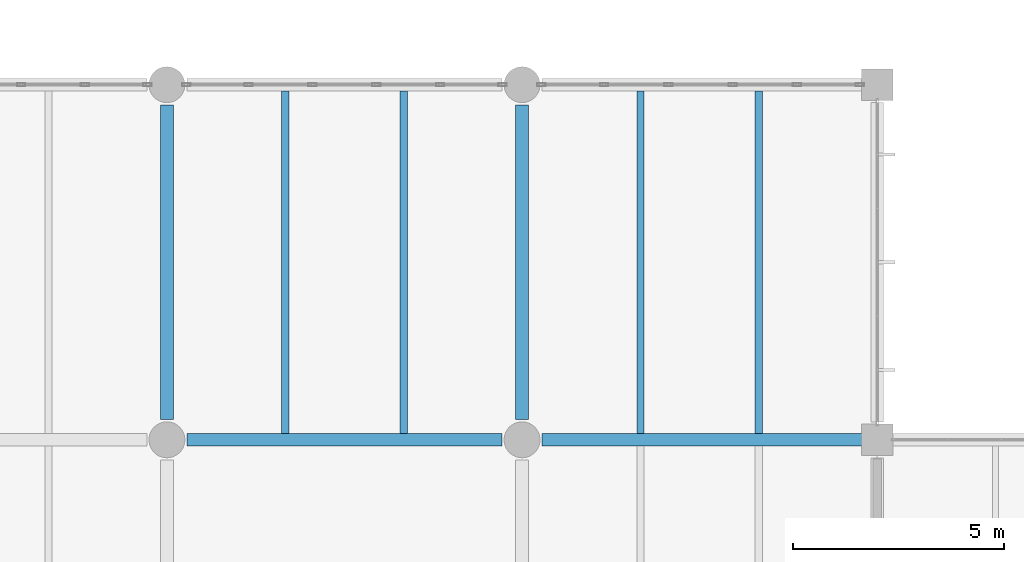
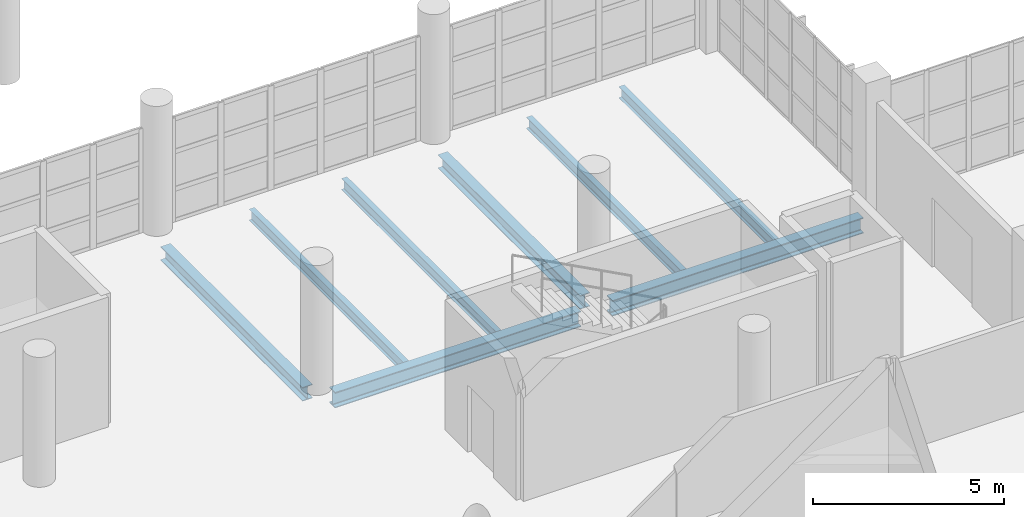
# One storey, part 74 of 177: 8 beams.
"""IFC4 building model written with IfcOpenShell, lengths in metres."""

from ifc_helpers import new_model, si_unit, direction, frame, origin, origin_2d, place, context, subcontext, project, spatial, i_section, extrude, material, material_profile, profile_set, type_object, element, save


model = new_model("IFC4")

# Units and contexts
model_context = context("Model", 3, precision=1e-05, world=origin(), true_north=direction((0.0, 1.0)))
body_context = subcontext(model_context, "Body", "Model", "MODEL_VIEW")
ifc_project = project(units=[si_unit("LENGTHUNIT", "METRE"), si_unit("AREAUNIT", "SQUARE_METRE"), si_unit("VOLUMEUNIT", "CUBIC_METRE"), si_unit("PLANEANGLEUNIT", "RADIAN"), si_unit("MASSUNIT", "GRAM", prefix="KILO"), si_unit("THERMODYNAMICTEMPERATUREUNIT", "KELVIN"), si_unit("POWERUNIT", "WATT")], contexts=[model_context])

# Site, building, storey
site_placement = place(None, origin())
site = spatial("IfcSite", under=ifc_project, at=site_placement, CompositionType="ELEMENT")
building_placement = place(site_placement, origin())
building = spatial("IfcBuilding", under=site, at=building_placement, Name="Mavoryth Pier Ferry Terminal", CompositionType="ELEMENT")
storey_placement = place(building_placement, frame((0.0, 0.0, 5.43994140625)))
storey = spatial("IfcBuildingStorey", under=building, at=storey_placement, Name="L01", CompositionType="ELEMENT", Elevation=5.43994140625)

# Beams
ifc_material = material(Name="Steel S355J2", Category="steel")
ifc_material_profile_1 = material_profile(ifc_material, i_section(OverallWidth=0.300048828125, OverallDepth=0.43994140625, WebThickness=0.011474609375, FlangeThickness=0.02099609375, FilletRadius=0.027099609375, at=origin_2d()), Name="HEA 450", Category="steel")
ifc_profile_set_1 = profile_set([ifc_material_profile_1], Name="Steel S355J2 - HEA 450")
beam_type_1 = type_object("IfcBeamType", Name="Beam-Steel-HEA450", PredefinedType="BEAM", material=ifc_profile_set_1)
for number, where, z_axis, x_axis, name in (
    (1, (16.800048828125, 98.074951171875, -0.5), (0.0, 1.0, 0.0), (-1.0, 0.0, 0.0), "Beam B01-SB03-0096"),
    (2, (25.199951171875, 98.074951171875, -0.5), (0.0, 1.0, 0.0), (-1.0, 0.0, 0.0), "Beam B01-SB03-0103"),
):
    element("IfcBeam", number, at=place(storey_placement, frame(where, z_axis=z_axis, x_axis=x_axis)), inside=storey, type_object=beam_type_1, Name=name, PredefinedType="BEAM", context=body_context, shape_type="SweptSolid", body=[
        extrude(i_section(OverallWidth=0.300048828125, OverallDepth=0.43994140625, WebThickness=0.011474609375, FlangeThickness=0.02099609375, FilletRadius=0.027099609375, at=origin_2d()), origin(), (0.0, 0.0, 1.0), 7.449951171875),
    ])
ifc_material_profile_2 = material_profile(ifc_material, i_section(OverallWidth=0.300048828125, OverallDepth=0.5, WebThickness=0.014404296875, FlangeThickness=0.028076171875, FilletRadius=0.027099609375, at=origin_2d()), Name="HEB 500", Category="steel")
ifc_profile_set_2 = profile_set([ifc_material_profile_2], Name="Steel S355J2 - HEB 500")
beam_type_2 = type_object("IfcBeamType", Name="Beam-Steel-HEB500", PredefinedType="BEAM", material=ifc_profile_set_2)
beam_1_placement = place(storey_placement, frame((17.27490234375, 97.60009765625, -0.530029296875), z_axis=(1.0, 0.0, 0.0), x_axis=(0.0, 1.0, 0.0)))
element("IfcBeam", 3, at=beam_1_placement, inside=storey, type_object=beam_type_2, Name="Beam B01-SB01-0072", PredefinedType="BEAM", context=body_context, shape_type="SweptSolid", body=[
    extrude(i_section(OverallWidth=0.300048828125, OverallDepth=0.5, WebThickness=0.014404296875, FlangeThickness=0.028076171875, FilletRadius=0.027099609375, at=origin_2d()), origin(), (0.0, 0.0, 1.0), 7.4501953125),
])
beam_2_placement = place(storey_placement, frame((25.675048828125, 97.60009765625, -0.530029296875), z_axis=(1.0, 0.0, 0.0), x_axis=(0.0, 1.0, 0.0)))
element("IfcBeam", 4, at=beam_2_placement, inside=storey, type_object=beam_type_2, Name="Beam B01-SB01-0073", PredefinedType="BEAM", context=body_context, shape_type="SweptSolid", body=[
    extrude(i_section(OverallWidth=0.300048828125, OverallDepth=0.5, WebThickness=0.014404296875, FlangeThickness=0.028076171875, FilletRadius=0.027099609375, at=origin_2d()), origin(), (0.0, 0.0, 1.0), 7.599853515625),
])
ifc_material_profile_3 = material_profile(ifc_material, i_section(OverallWidth=0.169921875, OverallDepth=0.360107421875, WebThickness=0.008056640625, FlangeThickness=0.0126953125, FilletRadius=0.01806640625, at=origin_2d()), Name="IPE 360", Category="steel")
ifc_profile_set_3 = profile_set([ifc_material_profile_3], Name="Steel S355J2 - IPE 360")
beam_type_3 = type_object("IfcBeamType", Name="Joist-Steel-IPE360", PredefinedType="JOIST", material=ifc_profile_set_3)
for number, where, z_axis, x_axis, name in (
    (5, (19.60009765625, 97.75, -0.4599609375), (0.0, 1.0, 0.0), (-1.0, 0.0, 0.0), "Beam B01-SJ02-0133"),
    (6, (22.39990234375, 97.75, -0.4599609375), (0.0, 1.0, 0.0), (-1.0, 0.0, 0.0), "Beam B01-SJ02-0134"),
    (7, (28.0, 97.75, -0.4599609375), (0.0, 1.0, 0.0), (-1.0, 0.0, 0.0), "Beam B01-SJ02-0147"),
    (8, (30.800048828125, 97.75, -0.4599609375), (0.0, 1.0, 0.0), (-1.0, 0.0, 0.0), "Beam B01-SJ02-0148"),
):
    element("IfcBeam", number, at=place(storey_placement, frame(where, z_axis=z_axis, x_axis=x_axis)), inside=storey, type_object=beam_type_3, Name=name, PredefinedType="JOIST", context=body_context, shape_type="SweptSolid", body=[
        extrude(i_section(OverallWidth=0.169921875, OverallDepth=0.360107421875, WebThickness=0.008056640625, FlangeThickness=0.0126953125, FilletRadius=0.01806640625, at=origin_2d()), origin(), (0.0, 0.0, 1.0), 8.10009765625),
    ])

save(model, "model.ifc")
